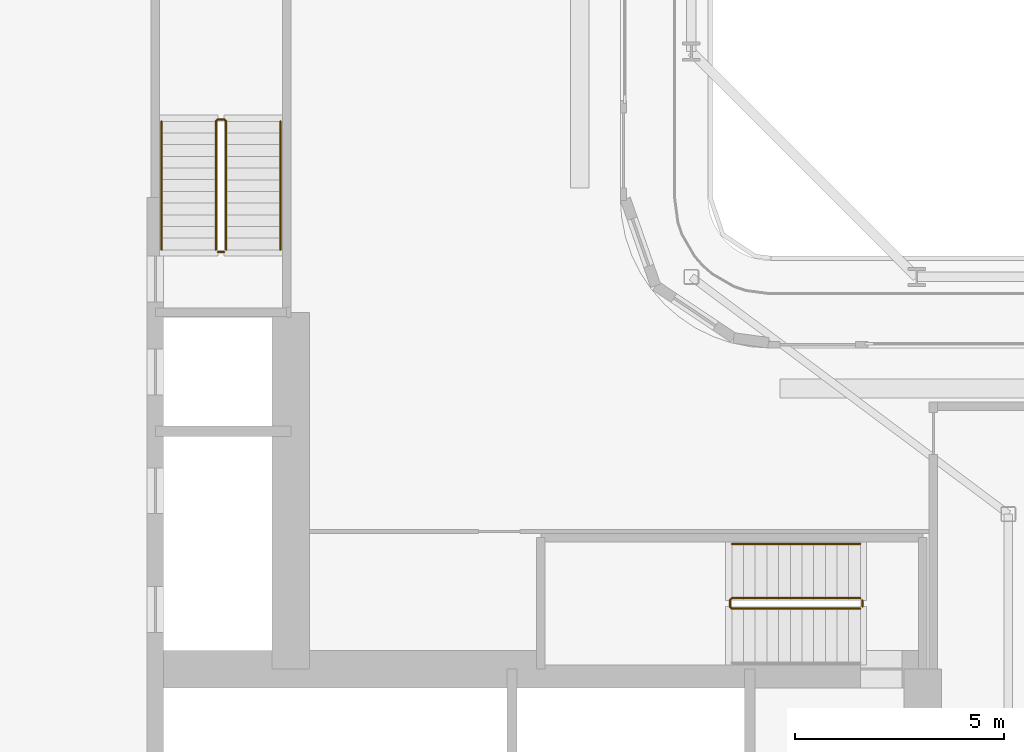
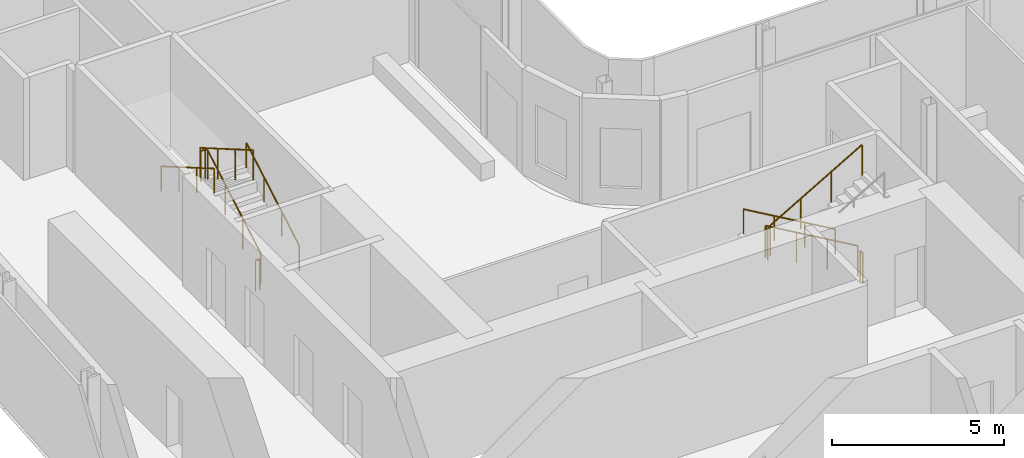
# One storey, part 23 of 28: 7 railings.
"""IFC4 building model written with IfcOpenShell, lengths in metres."""

from ifc_helpers import new_model, si_unit, direction, frame, origin, origin_2d, place, context, subcontext, project, spatial, circle, extrude, material, type_object, element, save


model = new_model("IFC4")

# Units and contexts
model_context = context("Model", 3, precision=1e-05, world=origin(), true_north=direction((0.0, 1.0)))
body_context = subcontext(model_context, "Body", "Model", "MODEL_VIEW")
ifc_project = project(units=[si_unit("LENGTHUNIT", "METRE"), si_unit("AREAUNIT", "SQUARE_METRE"), si_unit("VOLUMEUNIT", "CUBIC_METRE"), si_unit("PLANEANGLEUNIT", "RADIAN"), si_unit("MASSUNIT", "GRAM", prefix="KILO")], contexts=[model_context])

# Site, building, storey
site_placement = place(None, origin())
site = spatial("IfcSite", under=ifc_project, at=site_placement, CompositionType="ELEMENT")
building_placement = place(site_placement, origin())
building = spatial("IfcBuilding", under=site, at=building_placement, Name="Kheshtan School and Residences Tower", CompositionType="ELEMENT")
storey_placement = place(building_placement, frame((0.0, 0.0, 140.89990234375)))
storey = spatial("IfcBuildingStorey", under=building, at=storey_placement, Name="L33", CompositionType="ELEMENT", Elevation=140.89990234375)

# Railings
ifc_material_1 = material(Name="Stainless steel balustrade", Category="steel")
railing_type_1 = type_object("IfcRailingType", Name="Stair guard 1100", PredefinedType="GUARDRAIL", material=ifc_material_1)
railing_1_placement = place(storey_placement, frame((51.64990234375, 37.89990234375, 0.16259765625)))
element("IfcRailing", 1, at=railing_1_placement, inside=storey, type_object=railing_type_1, Name="L33 ST1 stair guard 1", PredefinedType="GUARDRAIL", context=body_context, shape_type="SweptSolid", body=[
    extrude(circle(Radius=0.02392578125, at=origin_2d()), frame((0.0, 0.0, 1.076171875), z_axis=(-0.864873446163, 0.0, 0.501989962173), x_axis=(0.0, -1.0, 0.0)), (0.0, 0.0, 1.0), 3.56103515625),
    extrude(circle(Radius=0.02392578125, at=origin_2d()), frame((-3.079833984375, 0.0, 2.86376953125), z_axis=(-0.708833529934, -0.705375805398, 0.0), x_axis=(0.705375805398, -0.708833529934, 0.0)), (0.0, 0.0, 1.0), 0.070556640625),
    extrude(circle(Radius=0.02392578125, at=origin_2d()), frame((-3.1298828125, -0.0498046875, 2.86376953125), z_axis=(0.0, -1.0, 0.0), x_axis=(1.0, 0.0, 0.0)), (0.0, 0.0, 1.0), 0.150146484375),
    extrude(circle(Radius=0.02392578125, at=origin_2d()), frame((-3.1298828125, -0.199951171875, 2.86376953125), z_axis=(0.282583949758, -0.282583949758, 0.916674763849), x_axis=(0.707106781187, 0.707106781187, 0.0)), (0.0, 0.0, 1.0), 0.177001953125),
    extrude(circle(Radius=0.02392578125, at=origin_2d()), frame((-3.079833984375, -0.25, 3.02587890625), z_axis=(0.864873446163, 0.0, 0.501989962173), x_axis=(0.0, 1.0, 0.0)), (0.0, 0.0, 1.0), 3.56103515625),
    extrude(circle(Radius=0.02099609375, at=origin_2d()), origin(), (0.0, 0.0, 1.0), 1.052001953125),
    extrude(circle(Radius=0.02099609375, at=origin_2d()), frame((-1.026611328125, 0.0, 0.595947265625)), (0.0, 0.0, 1.0), 1.052001953125),
    extrude(circle(Radius=0.02099609375, at=origin_2d()), frame((-2.05322265625, 0.0, 1.191650390625)), (0.0, 0.0, 1.0), 1.052001953125),
    extrude(circle(Radius=0.02099609375, at=origin_2d()), frame((-3.079833984375, 0.0, 1.78759765625)), (0.0, 0.0, 1.0), 1.052001953125),
    extrude(circle(Radius=0.02099609375, at=origin_2d()), frame((-3.1298828125, -0.0498046875, 1.78759765625)), (0.0, 0.0, 1.0), 1.052001953125),
    extrude(circle(Radius=0.02099609375, at=origin_2d()), frame((-3.1298828125, -0.199951171875, 1.78759765625)), (0.0, 0.0, 1.0), 1.052001953125),
    extrude(circle(Radius=0.02099609375, at=origin_2d()), frame((-3.079833984375, -0.25, 1.949951171875)), (0.0, 0.0, 1.0), 1.052001953125),
    extrude(circle(Radius=0.02099609375, at=origin_2d()), frame((-2.05322265625, -0.25, 2.5458984375)), (0.0, 0.0, 1.0), 1.052001953125),
    extrude(circle(Radius=0.02099609375, at=origin_2d()), frame((-1.026611328125, -0.25, 3.1416015625)), (0.0, 0.0, 1.0), 1.052001953125),
    extrude(circle(Radius=0.02099609375, at=origin_2d()), frame((0.0, -0.25, 3.737548828125)), (0.0, 0.0, 1.0), 1.052001953125),
])
railing_2_placement = place(storey_placement, frame((51.699951171875, 37.85009765625, 0.0)))
element("IfcRailing", 2, at=railing_2_placement, inside=storey, type_object=railing_type_1, Name="L33 ST1 stair guard 2", PredefinedType="GUARDRAIL", context=body_context, shape_type="SweptSolid", body=[
    extrude(circle(Radius=0.02392578125, at=origin_2d()), frame((0.0, 0.0, 1.076171875), z_axis=(0.0, -1.0, 0.0), x_axis=(1.0, 0.0, 0.0)), (0.0, 0.0, 1.0), 0.150146484375),
    extrude(circle(Radius=0.02099609375, at=origin_2d()), origin(), (0.0, 0.0, 1.0), 1.052001953125),
    extrude(circle(Radius=0.02099609375, at=origin_2d()), frame((0.0, -0.150146484375, 0.0)), (0.0, 0.0, 1.0), 1.052001953125),
])
railing_3_placement = place(storey_placement, frame((36.449951171875, 46.25, 0.16259765625)))
element("IfcRailing", 3, at=railing_3_placement, inside=storey, type_object=railing_type_1, Name="L33 ST2 stair guard 1", PredefinedType="GUARDRAIL", context=body_context, shape_type="SweptSolid", body=[
    extrude(circle(Radius=0.02392578125, at=origin_2d()), frame((0.0, 0.0, 1.076171875), z_axis=(0.0, 0.864890721111, 0.501960198159), x_axis=(-1.0, 0.0, 0.0)), (0.0, 0.0, 1.0), 3.561279296875),
    extrude(circle(Radius=0.02392578125, at=origin_2d()), frame((0.0, 3.080078125, 2.86376953125), z_axis=(-0.708833529934, 0.705375805398, 0.0), x_axis=(-0.705375805398, -0.708833529934, 0.0)), (0.0, 0.0, 1.0), 0.070556640625),
    extrude(circle(Radius=0.02392578125, at=origin_2d()), frame((-0.050048828125, 3.1298828125, 2.86376953125), z_axis=(-1.0, 0.0, 0.0), x_axis=(0.0, -1.0, 0.0)), (0.0, 0.0, 1.0), 0.14990234375),
    extrude(circle(Radius=0.02392578125, at=origin_2d()), frame((-0.199951171875, 3.1298828125, 2.86376953125), z_axis=(-0.282693820306, -0.281314826061, 0.917031173188), x_axis=(0.705375805398, -0.708833529934, 0.0)), (0.0, 0.0, 1.0), 0.177001953125),
    extrude(circle(Radius=0.02392578125, at=origin_2d()), frame((-0.25, 3.080078125, 3.02587890625), z_axis=(0.0, -0.864890721111, 0.501960198159), x_axis=(1.0, 0.0, 0.0)), (0.0, 0.0, 1.0), 3.561279296875),
    extrude(circle(Radius=0.02099609375, at=origin_2d()), origin(), (0.0, 0.0, 1.0), 1.052001953125),
    extrude(circle(Radius=0.02099609375, at=origin_2d()), frame((0.0, 1.026611328125, 0.595947265625)), (0.0, 0.0, 1.0), 1.052001953125),
    extrude(circle(Radius=0.02099609375, at=origin_2d()), frame((0.0, 2.053466796875, 1.191650390625)), (0.0, 0.0, 1.0), 1.052001953125),
    extrude(circle(Radius=0.02099609375, at=origin_2d()), frame((0.0, 3.080078125, 1.78759765625)), (0.0, 0.0, 1.0), 1.052001953125),
    extrude(circle(Radius=0.02099609375, at=origin_2d()), frame((-0.050048828125, 3.1298828125, 1.78759765625)), (0.0, 0.0, 1.0), 1.052001953125),
    extrude(circle(Radius=0.02099609375, at=origin_2d()), frame((-0.199951171875, 3.1298828125, 1.78759765625)), (0.0, 0.0, 1.0), 1.052001953125),
    extrude(circle(Radius=0.02099609375, at=origin_2d()), frame((-0.25, 3.080078125, 1.949951171875)), (0.0, 0.0, 1.0), 1.052001953125),
    extrude(circle(Radius=0.02099609375, at=origin_2d()), frame((-0.25, 2.053466796875, 2.5458984375)), (0.0, 0.0, 1.0), 1.052001953125),
    extrude(circle(Radius=0.02099609375, at=origin_2d()), frame((-0.25, 1.026611328125, 3.1416015625)), (0.0, 0.0, 1.0), 1.052001953125),
    extrude(circle(Radius=0.02099609375, at=origin_2d()), frame((-0.25, 0.0, 3.737548828125)), (0.0, 0.0, 1.0), 1.052001953125),
])
railing_4_placement = place(storey_placement, frame((36.39990234375, 46.199951171875, 0.0)))
element("IfcRailing", 4, at=railing_4_placement, inside=storey, type_object=railing_type_1, Name="L33 ST2 stair guard 2", PredefinedType="GUARDRAIL", context=body_context, shape_type="SweptSolid", body=[
    extrude(circle(Radius=0.02392578125, at=origin_2d()), frame((0.0, 0.0, 1.076171875), z_axis=(-1.0, 0.0, 0.0), x_axis=(0.0, -1.0, 0.0)), (0.0, 0.0, 1.0), 0.14990234375),
    extrude(circle(Radius=0.02099609375, at=origin_2d()), origin(), (0.0, 0.0, 1.0), 1.052001953125),
    extrude(circle(Radius=0.02099609375, at=origin_2d()), frame((-0.14990234375, 0.0, 0.0)), (0.0, 0.0, 1.0), 1.052001953125),
])
ifc_material_2 = material(Name="Stainless steel handrail", Category="steel")
railing_type_2 = type_object("IfcRailingType", Name="Stair handrail 900", PredefinedType="HANDRAIL", material=ifc_material_2)
railing_5_placement = place(storey_placement, frame((51.64990234375, 39.199951171875, 0.16259765625)))
element("IfcRailing", 5, at=railing_5_placement, inside=storey, type_object=railing_type_2, Name="L33 ST1 stair handrail 1", PredefinedType="HANDRAIL", context=body_context, shape_type="SweptSolid", body=[
    extrude(circle(Radius=0.02392578125, at=origin_2d()), frame((0.0, 0.0, 0.8759765625), z_axis=(-0.864873446163, 0.0, 0.501989962173), x_axis=(0.0, -1.0, 0.0)), (0.0, 0.0, 1.0), 3.56103515625),
    extrude(circle(Radius=0.02099609375, at=origin_2d()), origin(), (0.0, 0.0, 1.0), 0.851806640625),
    extrude(circle(Radius=0.02099609375, at=origin_2d()), frame((-1.026611328125, 0.0, 0.595947265625)), (0.0, 0.0, 1.0), 0.851806640625),
    extrude(circle(Radius=0.02099609375, at=origin_2d()), frame((-2.05322265625, 0.0, 1.191650390625)), (0.0, 0.0, 1.0), 0.851806640625),
    extrude(circle(Radius=0.02099609375, at=origin_2d()), frame((-3.079833984375, 0.0, 1.78759765625)), (0.0, 0.0, 1.0), 0.851806640625),
])
railing_6_placement = place(storey_placement, frame((37.75, 46.25, 0.16259765625)))
element("IfcRailing", 6, at=railing_6_placement, inside=storey, type_object=railing_type_2, Name="L33 ST2 stair handrail 1", PredefinedType="HANDRAIL", context=body_context, shape_type="SweptSolid", body=[
    extrude(circle(Radius=0.02392578125, at=origin_2d()), frame((0.0, 0.0, 0.8759765625), z_axis=(0.0, 0.864890721111, 0.501960198159), x_axis=(-1.0, 0.0, 0.0)), (0.0, 0.0, 1.0), 3.561279296875),
    extrude(circle(Radius=0.02099609375, at=origin_2d()), origin(), (0.0, 0.0, 1.0), 0.851806640625),
    extrude(circle(Radius=0.02099609375, at=origin_2d()), frame((0.0, 1.026611328125, 0.595947265625)), (0.0, 0.0, 1.0), 0.851806640625),
    extrude(circle(Radius=0.02099609375, at=origin_2d()), frame((0.0, 2.053466796875, 1.191650390625)), (0.0, 0.0, 1.0), 0.851806640625),
    extrude(circle(Radius=0.02099609375, at=origin_2d()), frame((0.0, 3.080078125, 1.78759765625)), (0.0, 0.0, 1.0), 0.851806640625),
])
railing_7_placement = place(storey_placement, frame((34.89990234375, 49.330078125, 2.112548828125)))
element("IfcRailing", 7, at=railing_7_placement, inside=storey, type_object=railing_type_2, Name="L33 ST2 stair handrail 2", PredefinedType="HANDRAIL", context=body_context, shape_type="SweptSolid", body=[
    extrude(circle(Radius=0.02392578125, at=origin_2d()), frame((0.0, 0.0, 0.8759765625), z_axis=(0.0, -0.864890721111, 0.501960198159), x_axis=(1.0, 0.0, 0.0)), (0.0, 0.0, 1.0), 3.561279296875),
    extrude(circle(Radius=0.02099609375, at=origin_2d()), origin(), (0.0, 0.0, 1.0), 0.851806640625),
    extrude(circle(Radius=0.02099609375, at=origin_2d()), frame((0.0, -1.026611328125, 0.595947265625)), (0.0, 0.0, 1.0), 0.851806640625),
    extrude(circle(Radius=0.02099609375, at=origin_2d()), frame((0.0, -2.053466796875, 1.191650390625)), (0.0, 0.0, 1.0), 0.851806640625),
    extrude(circle(Radius=0.02099609375, at=origin_2d()), frame((0.0, -3.080078125, 1.78759765625)), (0.0, 0.0, 1.0), 0.851806640625),
])

save(model, "model.ifc")
